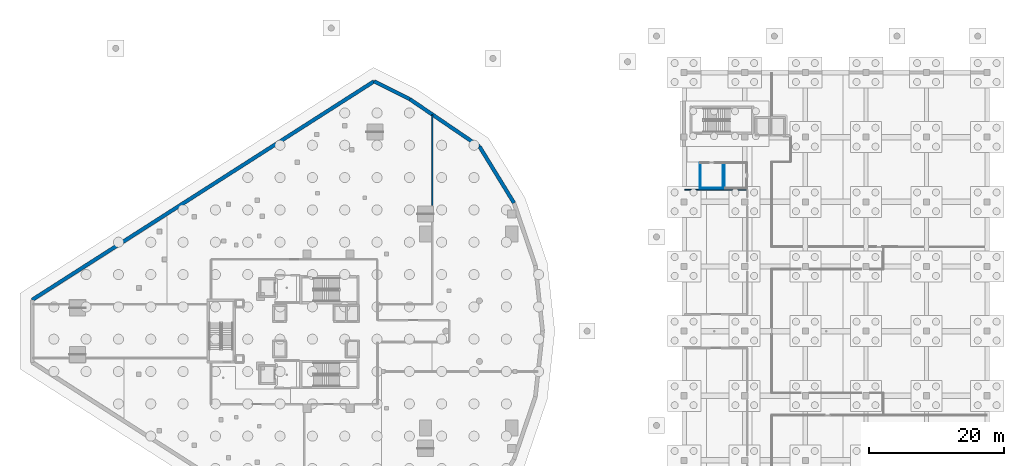
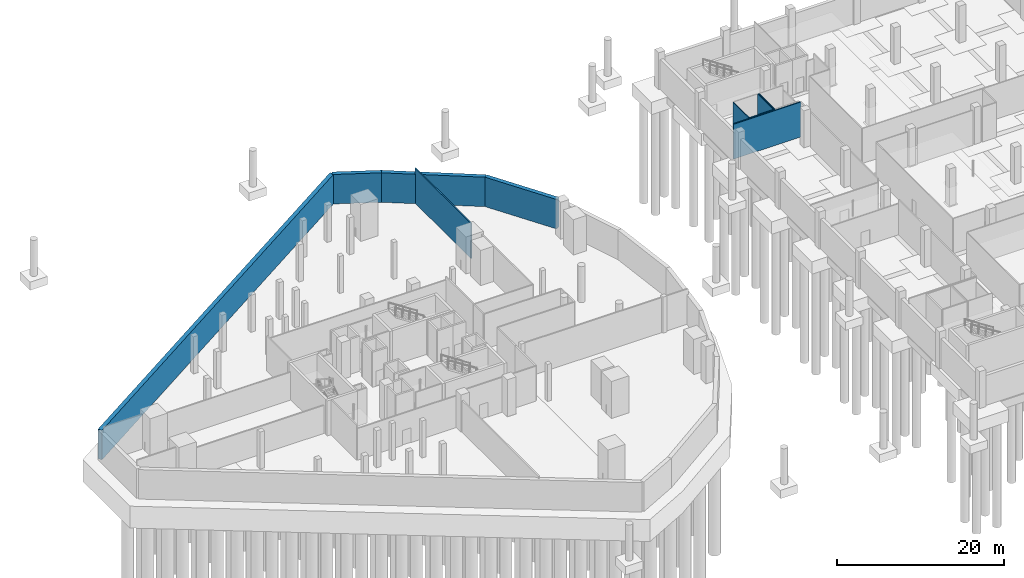
# One storey, part 10 of 22: 10 walls.
"""IFC4 building model written with IfcOpenShell, lengths in metres."""

from ifc_helpers import new_model, si_unit, direction, frame, frame_2d, origin, place, context, subcontext, project, spatial, rectangle, extrude, material, layer, layer_set, type_object, element, save


model = new_model("IFC4")

# Units and contexts
model_context = context("Model", 3, precision=1e-05, world=origin(), true_north=direction((0.0, 1.0)))
body_context = subcontext(model_context, "Body", "Model", "MODEL_VIEW")
ifc_project = project(units=[si_unit("LENGTHUNIT", "METRE"), si_unit("AREAUNIT", "SQUARE_METRE"), si_unit("VOLUMEUNIT", "CUBIC_METRE"), si_unit("PLANEANGLEUNIT", "RADIAN"), si_unit("MASSUNIT", "GRAM", prefix="KILO")], contexts=[model_context])

# Site, building, storey
site_placement = place(None, origin())
site = spatial("IfcSite", under=ifc_project, at=site_placement, CompositionType="ELEMENT")
building_placement = place(site_placement, origin())
building = spatial("IfcBuilding", under=site, at=building_placement, Name="Qorvath Tower", CompositionType="ELEMENT")
storey_placement = place(building_placement, frame((0.0, 0.0, -5.39990234375)))
storey = spatial("IfcBuildingStorey", under=building, at=storey_placement, Name="B01", CompositionType="ELEMENT", Elevation=-5.39990234375)

# Walls
ifc_material_1 = material(Name="Double acoustic gypsum board on steel studs", Category="steel")
ifc_layer_1 = layer(ifc_material_1, 0.159912109375)
ifc_layer_set_1 = layer_set([ifc_layer_1], Name="IW-ACOUSTIC-160")
wall_type_1 = type_object("IfcWallType", Name="IW-ACOUSTIC-160", PredefinedType="PARTITIONING", material=ifc_layer_set_1)
wall_1_placement = place(storey_placement, frame((-5.0, 18.6650390625, 0.0), z_axis=(0.0, 0.0, 1.0), x_axis=(0.0, 1.0, 0.0)))
element("IfcWall", 1, at=wall_1_placement, inside=storey, type_object=wall_type_1, Name="Interior Partition IW-T1-B01-012", PredefinedType="PARTITIONING", context=body_context, shape_type="SweptSolid", body=[
    extrude(rectangle(XDim=13.428955078125, YDim=0.159912109375, at=frame_2d((6.71435546875, 0.0))), origin(), (0.0, 0.0, 1.0), 5.099853515625),
])
wall_2_placement = place(storey_placement, frame((41.77490234375, 21.0, 0.0), z_axis=(0.0, 0.0, 1.0), x_axis=(-1.0, 0.0, 0.0)))
element("IfcWall", 2, at=wall_2_placement, inside=storey, type_object=wall_type_1, Name="Interior Partition IW-LB-B01-022", PredefinedType="PARTITIONING", context=body_context, shape_type="SweptSolid", body=[
    extrude(rectangle(XDim=9.294921875, YDim=0.159912109375, at=frame_2d((4.6474609375, 0.0))), origin(), (0.0, 0.0, 1.0), 5.099853515625),
])
ifc_material_2 = material(Name="Moisture-resistant cement board on metal studs", Category="gypsum")
ifc_layer_2 = layer(ifc_material_2, 0.110107421875)
ifc_layer_set_2 = layer_set([ifc_layer_2], Name="IW-WC-110")
wall_type_2 = type_object("IfcWallType", Name="IW-WC-110", PredefinedType="PARTITIONING", material=ifc_layer_set_2)
wall_3_placement = place(storey_placement, frame((34.824951171875, 21.199951171875, 0.0), z_axis=(0.0, 0.0, 1.0), x_axis=(1.0, 0.0, 0.0)))
element("IfcWall", 3, at=wall_3_placement, inside=storey, type_object=wall_type_2, Name="Interior Partition IW-LB-B01-001", PredefinedType="PARTITIONING", context=body_context, shape_type="SweptSolid", body=[
    extrude(rectangle(XDim=3.35009765625, YDim=0.110107421875, at=frame_2d((1.675048828125, 0.0))), origin(), (0.0, 0.0, 1.0), 5.099853515625),
])
for number, where, z_axis, x_axis, name in (
    (4, (38.199951171875, 21.22509765625, 0.0), (0.0, 0.0, 1.0), (0.0, 1.0, 0.0), "Interior Partition IW-LB-B01-002"),
    (5, (34.800048828125, 24.97509765625, 0.0), (0.0, 0.0, 1.0), (0.0, -1.0, 0.0), "Interior Partition IW-LB-B01-004"),
    (6, (38.35009765625, 24.97509765625, 0.0), (0.0, 0.0, 1.0), (0.0, -1.0, 0.0), "Interior Partition IW-LB-B01-008"),
):
    element("IfcWall", number, at=place(storey_placement, frame(where, z_axis=z_axis, x_axis=x_axis)), inside=storey, type_object=wall_type_2, Name=name, PredefinedType="PARTITIONING", context=body_context, shape_type="SweptSolid", body=[
        extrude(rectangle(XDim=3.75, YDim=0.110107421875, at=frame_2d((1.875, 0.0))), origin(), (0.0, 0.0, 1.0), 5.099853515625),
    ])
ifc_material_3 = material(Name="Concrete C50/60", Category="concrete")
ifc_layer_3 = layer(ifc_material_3, 0.550048828125)
ifc_layer_set_3 = layer_set([ifc_layer_3], Name="WL-RW-550")
wall_type_3 = type_object("IfcWallType", Name="WL-RW-550", PredefinedType="USERDEFINED", material=ifc_layer_set_3)
wall_4_placement = place(storey_placement, frame((7.139404296875, 19.029052734375, 0.0), z_axis=(0.0, 0.0, 1.0), x_axis=(-0.521922160909, 0.852993117178, 0.0)))
element("IfcWall", 7, at=wall_4_placement, inside=storey, type_object=wall_type_3, Name="Tower Basement Retaining Wall 10", ObjectType="RETAININGWALL", PredefinedType="USERDEFINED", context=body_context, shape_type="SweptSolid", body=[
    extrude(rectangle(XDim=9.807861328125, YDim=0.550048828125, at=frame_2d((4.90380859375, 0.0))), origin(), (0.0, 0.0, 1.0), 4.2998046875),
])
wall_5_placement = place(storey_placement, frame((2.0205078125, 27.39501953125, 0.0), z_axis=(0.0, 0.0, 1.0), x_axis=(-0.826650936963, 0.562715050819, 0.0)))
element("IfcWall", 8, at=wall_5_placement, inside=storey, type_object=wall_type_3, Name="Tower Basement Retaining Wall 11", ObjectType="RETAININGWALL", PredefinedType="USERDEFINED", context=body_context, shape_type="SweptSolid", body=[
    extrude(rectangle(XDim=12.528076171875, YDim=0.550048828125, at=frame_2d((6.26416015625, 0.0))), origin(), (0.0, 0.0, 1.0), 4.2998046875),
])
wall_6_placement = place(storey_placement, frame((-8.3359375, 34.44482421875, 0.0), z_axis=(0.0, 0.0, 1.0), x_axis=(-0.894427191, 0.4472135955, 0.0)))
element("IfcWall", 9, at=wall_6_placement, inside=storey, type_object=wall_type_3, Name="Tower Basement Retaining Wall 12", ObjectType="RETAININGWALL", PredefinedType="USERDEFINED", context=body_context, shape_type="SweptSolid", body=[
    extrude(rectangle(XDim=5.9248046875, YDim=0.550048828125, at=frame_2d((2.96240234375, 0.0))), origin(), (0.0, 0.0, 1.0), 4.2998046875),
])
wall_7_placement = place(storey_placement, frame((-13.63525390625, 37.094482421875, 0.0), z_axis=(0.0, 0.0, 1.0), x_axis=(-0.842602364841, -0.538536214905, 0.0)))
element("IfcWall", 10, at=wall_7_placement, inside=storey, type_object=wall_type_3, Name="Tower Basement Retaining Wall 13", ObjectType="RETAININGWALL", PredefinedType="USERDEFINED", context=body_context, shape_type="SweptSolid", body=[
    extrude(rectangle(XDim=60.270263671875, YDim=0.550048828125, at=frame_2d((30.13525390625, 0.0))), origin(), (0.0, 0.0, 1.0), 4.2998046875),
])

save(model, "model.ifc")
